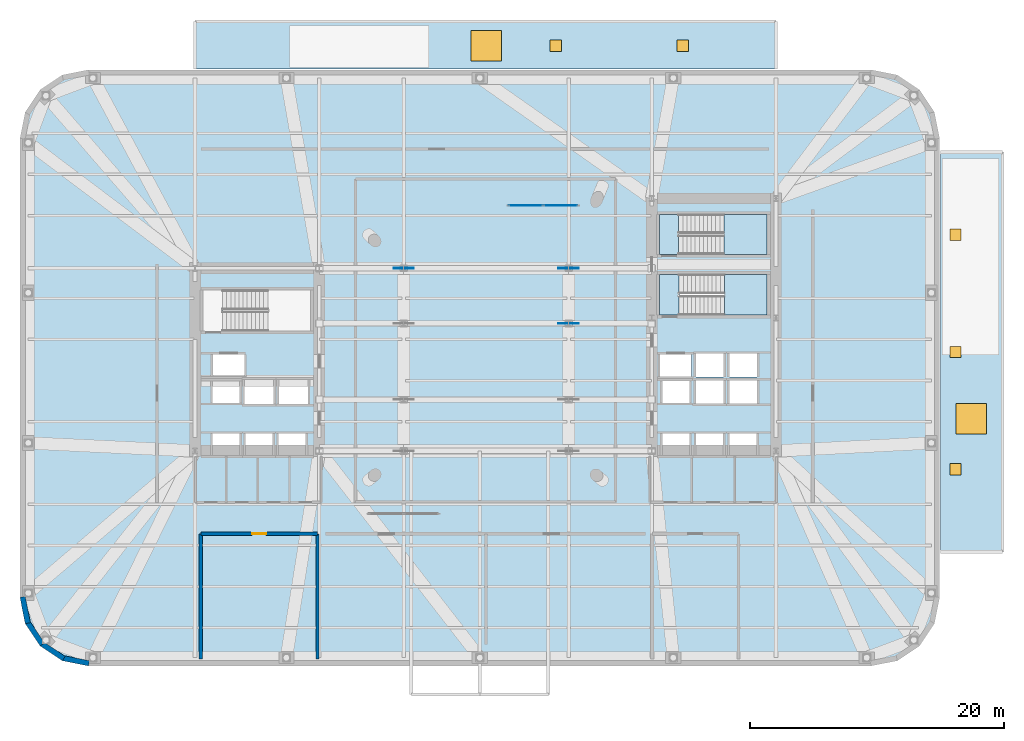
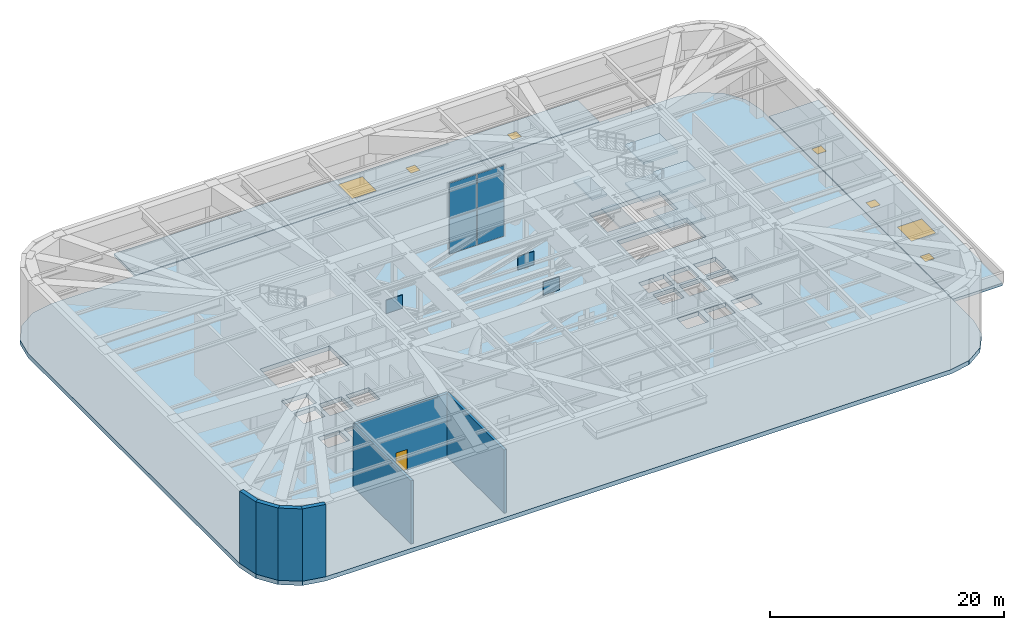
# One storey, part 7 of 15: 9 slabs, 7 plates, 7 walls, 6 doors, 2 windows, 8 openings, 3 elements without a shape of their own.
"""IFC4 building model written with IfcOpenShell, lengths in metres."""

from ifc_helpers import new_model, si_unit, direction, frame, frame_2d, origin, origin_2d, place, context, subcontext, project, spatial, polyline, rectangle, outline, extrude, material, layer, layer_set, type_object, element, fill, aggregate, save


model = new_model("IFC4")

# Units and contexts
model_context = context("Model", 3, precision=1e-05, world=origin(), true_north=direction((0.0, 1.0)))
body_context = subcontext(model_context, "Body", "Model", "MODEL_VIEW")
ifc_project = project(units=[si_unit("LENGTHUNIT", "METRE"), si_unit("AREAUNIT", "SQUARE_METRE"), si_unit("VOLUMEUNIT", "CUBIC_METRE"), si_unit("PLANEANGLEUNIT", "RADIAN"), si_unit("MASSUNIT", "GRAM", prefix="KILO")], contexts=[model_context])

# Site, building, storey
site_placement = place(None, origin())
site = spatial("IfcSite", under=ifc_project, at=site_placement, CompositionType="ELEMENT")
building_placement = place(site_placement, origin())
building = spatial("IfcBuilding", under=site, at=building_placement, Name="Kolvaren Arena Tower", CompositionType="ELEMENT")
storey_placement = place(building_placement, frame((0.0, 0.0, 34.0)))
storey = spatial("IfcBuildingStorey", under=building, at=storey_placement, Name="L06", CompositionType="ELEMENT", Elevation=34.0)

# Curtain wall, plates
ifc_material_1 = material(Name="Anodised aluminium unitised curtain wall", Category="aluminium")
curtain_wall_type = type_object("IfcCurtainWallType", Name="CW-SYS-05", PredefinedType="USERDEFINED", material=ifc_material_1)
curtain_wall_placement = place(storey_placement, origin())
curtain_wall = element("IfcCurtainWall", 1, at=curtain_wall_placement, inside=storey, type_object=curtain_wall_type, Name="Mechanical Plant Louvre Curtain Wall (L06)", ObjectType="ACOUSTIC LOUVRE SCREEN", PredefinedType="USERDEFINED")
ifc_material_2 = material(Name="Storm-proof anodised aluminium louvre panel", Category="aluminium")
ifc_layer_1 = layer(ifc_material_2, 0.074951171875)
ifc_layer_set_1 = layer_set([ifc_layer_1], Name="Storm-proof anodised aluminium louvre panel")
plate_type_1 = type_object("IfcPlateType", Name="CWP-LVR1", PredefinedType="CURTAIN_PANEL", material=ifc_layer_set_1)
plate_1_placement = place(storey_placement, frame((40.625, 38.800048828125, 0.080078125), z_axis=(0.0, 0.0, 1.0), x_axis=(1.0, 0.0, 0.0)))
plate_1 = element("IfcPlate", 2, at=plate_1_placement, type_object=plate_type_1, Name="CW5 panel 1.1", PredefinedType="CURTAIN_PANEL", context=body_context, shape_type="SweptSolid", body=[
    extrude(rectangle(XDim=2.64990234375, YDim=0.074951171875, at=origin_2d()), origin(), (0.0, 0.0, 1.0), 3.655029296875),
])
plate_2_placement = place(storey_placement, frame((40.625, 38.800048828125, 3.81494140625), z_axis=(0.0, 0.0, 1.0), x_axis=(1.0, 0.0, 0.0)))
plate_2 = element("IfcPlate", 3, at=plate_2_placement, type_object=plate_type_1, Name="CW5 panel 1.2", PredefinedType="CURTAIN_PANEL", context=body_context, shape_type="SweptSolid", body=[
    extrude(rectangle(XDim=2.64990234375, YDim=0.074951171875, at=origin_2d()), origin(), (0.0, 0.0, 1.0), 3.655029296875),
])
plate_3_placement = place(storey_placement, frame((43.375, 38.800048828125, 0.080078125), z_axis=(0.0, 0.0, 1.0), x_axis=(1.0, 0.0, 0.0)))
plate_3 = element("IfcPlate", 4, at=plate_3_placement, type_object=plate_type_1, Name="CW5 panel 2.1", PredefinedType="CURTAIN_PANEL", context=body_context, shape_type="SweptSolid", body=[
    extrude(rectangle(XDim=2.64990234375, YDim=0.074951171875, at=origin_2d()), origin(), (0.0, 0.0, 1.0), 3.655029296875),
])
plate_4_placement = place(storey_placement, frame((43.375, 38.800048828125, 3.81494140625), z_axis=(0.0, 0.0, 1.0), x_axis=(1.0, 0.0, 0.0)))
plate_4 = element("IfcPlate", 5, at=plate_4_placement, type_object=plate_type_1, Name="CW5 panel 2.2", PredefinedType="CURTAIN_PANEL", context=body_context, shape_type="SweptSolid", body=[
    extrude(rectangle(XDim=2.64990234375, YDim=0.074951171875, at=origin_2d()), origin(), (0.0, 0.0, 1.0), 3.655029296875),
])
aggregate(curtain_wall, [plate_1, plate_2, plate_3, plate_4])

# Plates
ifc_material_3 = material(Name="Steel CSA G40.21 350WT", Category="steel")
ifc_layer_2 = layer(ifc_material_3, 0.06005859375)
ifc_layer_set_2 = layer_set([ifc_layer_2], Name="Steel CSA G40.21 350WT")
plate_type_2 = type_object("IfcPlateType", Name="PLT-GUS-M1", PredefinedType="USERDEFINED", material=ifc_layer_set_2)
for number, where, z_axis, x_axis, name in (
    (6, (44.0, 29.5, 0.050048828125), (0.0, 0.0, 1.0), (1.0, 0.0, 0.0), "Mega-Transfer Truss 3 Node Gusset Plate"),
    (7, (31.0, 33.85009765625, 0.050048828125), (0.0, 0.0, 1.0), (1.0, 0.0, 0.0), "Mega-Transfer Truss 4 Node Gusset Plate"),
    (8, (44.0, 33.85009765625, 0.050048828125), (0.0, 0.0, 1.0), (1.0, 0.0, 0.0), "Mega-Transfer Truss 4 Node Gusset Plate"),
):
    element("IfcPlate", number, at=place(storey_placement, frame(where, z_axis=z_axis, x_axis=x_axis)), inside=storey, type_object=plate_type_2, Name=name, ObjectType="GUSSET PLATE", PredefinedType="USERDEFINED", context=body_context, shape_type="SweptSolid", body=[
        extrude(rectangle(XDim=1.60009765625, YDim=0.06005859375, at=origin_2d()), origin(), (0.0, 0.0, 1.0), 1.39990234375),
    ])

# Slab, openings, doors, window
ifc_material_4 = material(Name="Concrete 45 MPa", Category="concrete")
ifc_layer_3 = layer(ifc_material_4, 0.280029296875)
ifc_layer_set_3 = layer_set([ifc_layer_3], Name="Concrete 45 MPa")
slab_type_1 = type_object("IfcSlabType", Name="ROOF-OVR", PredefinedType="ROOF", material=ifc_layer_set_3)
slab_1_placement = place(storey_placement, frame((0.0, 0.0, -0.280029296875)))
slab_1 = element("IfcSlab", 9, at=slab_1_placement, inside=storey, type_object=slab_type_1, Name="Podium Step-Back Low Roof Slab (East)", PredefinedType="ROOF", context=body_context, shape_type="SweptSolid", body=[
    extrude(outline(polyline([(73.300048828125, 11.5), (78.199951171875, 11.5), (78.199951171875, 43.0), (73.300048828125, 43.0), (73.300048828125, 11.5)])), origin(), (0.0, 0.0, 1.0), 0.280029296875),
])
opening_1_placement = place(slab_1_placement, frame((75.75, 22.0, 0.0)))
opening_1 = element("IfcOpeningElement", 10, at=opening_1_placement, cuts=slab_1, Name="Opening SK2", PredefinedType="OPENING", context=body_context, shape_type="SweptSolid", body=[
    extrude(rectangle(XDim=2.39990234375, YDim=2.39990234375, at=origin_2d()), origin(), (0.0, 0.0, 1.0), 0.280029296875),
])
opening_2_placement = place(slab_1_placement, frame((74.5, 18.0, 0.0)))
opening_2 = element("IfcOpeningElement", 11, at=opening_2_placement, cuts=slab_1, Name="Opening TD1", PredefinedType="OPENING", context=body_context, shape_type="SweptSolid", body=[
    extrude(rectangle(XDim=0.89990234375, YDim=0.89990234375, at=origin_2d()), origin(), (0.0, 0.0, 1.0), 0.280029296875),
])
opening_3_placement = place(slab_1_placement, frame((74.5, 27.25, 0.0)))
opening_3 = element("IfcOpeningElement", 12, at=opening_3_placement, cuts=slab_1, Name="Opening TD1", PredefinedType="OPENING", context=body_context, shape_type="SweptSolid", body=[
    extrude(rectangle(XDim=0.89990234375, YDim=0.89990234375, at=origin_2d()), origin(), (0.0, 0.0, 1.0), 0.280029296875),
])
opening_4_placement = place(slab_1_placement, frame((74.5, 36.5, 0.0)))
opening_4 = element("IfcOpeningElement", 13, at=opening_4_placement, cuts=slab_1, Name="Opening TD1", PredefinedType="OPENING", context=body_context, shape_type="SweptSolid", body=[
    extrude(rectangle(XDim=0.89990234375, YDim=0.89990234375, at=origin_2d()), origin(), (0.0, 0.0, 1.0), 0.280029296875),
])
ifc_material_5 = material(Name="Insulated steel roof maintenance access door", Category="steel")
door_type_1 = type_object("IfcDoorType", Name="DOOR-RF-090", OperationType="NOTDEFINED", PredefinedType="TRAPDOOR", material=ifc_material_5)
door_1_placement = place(opening_2_placement, frame((0.0, 0.0, 0.22998046875)))
door_1 = element("IfcDoor", 14, at=door_1_placement, inside=storey, type_object=door_type_1, Name="Roof Maintenance Access Hatch 1", OperationType="SINGLE_SWING_LEFT", OverallHeight=0.89990234375, OverallWidth=0.89990234375, PredefinedType="TRAPDOOR", context=body_context, shape_type="SweptSolid", body=[
    extrude(rectangle(XDim=0.89990234375, YDim=0.89990234375, at=origin_2d()), origin(), (0.0, 0.0, 1.0), 0.050048828125),
])
fill(opening_2, door_1)
door_2_placement = place(opening_3_placement, frame((0.0, 0.0, 0.22998046875)))
door_2 = element("IfcDoor", 15, at=door_2_placement, inside=storey, type_object=door_type_1, Name="Roof Maintenance Access Hatch 2", OperationType="SINGLE_SWING_LEFT", OverallHeight=0.89990234375, OverallWidth=0.89990234375, PredefinedType="TRAPDOOR", context=body_context, shape_type="SweptSolid", body=[
    extrude(rectangle(XDim=0.89990234375, YDim=0.89990234375, at=origin_2d()), origin(), (0.0, 0.0, 1.0), 0.050048828125),
])
fill(opening_3, door_2)
door_3_placement = place(opening_4_placement, frame((0.0, 0.0, 0.22998046875)))
door_3 = element("IfcDoor", 16, at=door_3_placement, inside=storey, type_object=door_type_1, Name="Roof Maintenance Access Hatch 3", OperationType="SINGLE_SWING_LEFT", OverallHeight=0.89990234375, OverallWidth=0.89990234375, PredefinedType="TRAPDOOR", context=body_context, shape_type="SweptSolid", body=[
    extrude(rectangle(XDim=0.89990234375, YDim=0.89990234375, at=origin_2d()), origin(), (0.0, 0.0, 1.0), 0.050048828125),
])
fill(opening_4, door_3)
ifc_material_6 = material(Name="Thermally broken wintergarden skylight", Category="glass")
window_type = type_object("IfcWindowType", Name="SKY-CRN-1", PartitioningType="SINGLE_PANEL", PredefinedType="SKYLIGHT", material=ifc_material_6)
window_1_placement = place(opening_1_placement, frame((0.0, 0.0, 0.22998046875)))
window_1 = element("IfcWindow", 17, at=window_1_placement, inside=storey, type_object=window_type, Name="Laminated Glass Roof Skylight 6", OverallHeight=2.39990234375, OverallWidth=2.39990234375, PartitioningType="SINGLE_PANEL", PredefinedType="SKYLIGHT", context=body_context, shape_type="SweptSolid", body=[
    extrude(rectangle(XDim=2.39990234375, YDim=2.39990234375, at=origin_2d()), origin(), (0.0, 0.0, 1.0), 0.050048828125),
])
fill(opening_1, window_1)

slab_2_placement = place(storey_placement, frame((0.0, 0.0, -0.280029296875)))
slab_2 = element("IfcSlab", 18, at=slab_2_placement, inside=storey, type_object=slab_type_1, Name="Podium Step-Back Low Roof Slab (North)", PredefinedType="ROOF", context=body_context, shape_type="SweptSolid", body=[
    extrude(outline(polyline([(14.550048828125, 49.550048828125), (60.35009765625, 49.550048828125), (60.35009765625, 53.300048828125), (14.550048828125, 53.300048828125), (14.550048828125, 49.550048828125)])), origin(), (0.0, 0.0, 1.0), 0.280029296875),
])
opening_5_placement = place(slab_2_placement, frame((37.5, 51.39990234375, 0.0)))
opening_5 = element("IfcOpeningElement", 19, at=opening_5_placement, cuts=slab_2, Name="Opening SK2", PredefinedType="OPENING", context=body_context, shape_type="SweptSolid", body=[
    extrude(rectangle(XDim=2.39990234375, YDim=2.39990234375, at=origin_2d()), origin(), (0.0, 0.0, 1.0), 0.280029296875),
])
opening_6_placement = place(slab_2_placement, frame((43.0, 51.39990234375, 0.0)))
opening_6 = element("IfcOpeningElement", 20, at=opening_6_placement, cuts=slab_2, Name="Opening TD1", PredefinedType="OPENING", context=body_context, shape_type="SweptSolid", body=[
    extrude(rectangle(XDim=0.89990234375, YDim=0.89990234375, at=origin_2d()), origin(), (0.0, 0.0, 1.0), 0.280029296875),
])
opening_7_placement = place(slab_2_placement, frame((53.0, 51.39990234375, 0.0)))
opening_7 = element("IfcOpeningElement", 21, at=opening_7_placement, cuts=slab_2, Name="Opening TD1", PredefinedType="OPENING", context=body_context, shape_type="SweptSolid", body=[
    extrude(rectangle(XDim=0.89990234375, YDim=0.89990234375, at=origin_2d()), origin(), (0.0, 0.0, 1.0), 0.280029296875),
])
door_4_placement = place(opening_6_placement, frame((0.0, 0.0, 0.22998046875)))
door_4 = element("IfcDoor", 22, at=door_4_placement, inside=storey, type_object=door_type_1, Name="Roof Maintenance Access Hatch 4", OperationType="SINGLE_SWING_LEFT", OverallHeight=0.89990234375, OverallWidth=0.89990234375, PredefinedType="TRAPDOOR", context=body_context, shape_type="SweptSolid", body=[
    extrude(rectangle(XDim=0.89990234375, YDim=0.89990234375, at=origin_2d()), origin(), (0.0, 0.0, 1.0), 0.050048828125),
])
fill(opening_6, door_4)
door_5_placement = place(opening_7_placement, frame((0.0, 0.0, 0.22998046875)))
door_5 = element("IfcDoor", 23, at=door_5_placement, inside=storey, type_object=door_type_1, Name="Roof Maintenance Access Hatch 5", OperationType="SINGLE_SWING_LEFT", OverallHeight=0.89990234375, OverallWidth=0.89990234375, PredefinedType="TRAPDOOR", context=body_context, shape_type="SweptSolid", body=[
    extrude(rectangle(XDim=0.89990234375, YDim=0.89990234375, at=origin_2d()), origin(), (0.0, 0.0, 1.0), 0.050048828125),
])
fill(opening_7, door_5)
window_2_placement = place(opening_5_placement, frame((0.0, 0.0, 0.22998046875)))
window_2 = element("IfcWindow", 24, at=window_2_placement, inside=storey, type_object=window_type, Name="Laminated Glass Roof Skylight 7", OverallHeight=2.39990234375, OverallWidth=2.39990234375, PartitioningType="SINGLE_PANEL", PredefinedType="SKYLIGHT", context=body_context, shape_type="SweptSolid", body=[
    extrude(rectangle(XDim=2.39990234375, YDim=2.39990234375, at=origin_2d()), origin(), (0.0, 0.0, 1.0), 0.050048828125),
])
fill(opening_5, window_2)

# Stair, slabs
stair_type_1 = type_object("IfcStairType", Name="STAIR-CORE-165", PredefinedType="HALF_TURN_STAIR", material=ifc_material_4)
stair_1_placement = place(storey_placement, origin())
stair_1 = element("IfcStair", 25, at=stair_1_placement, inside=storey, type_object=stair_type_1, Name="L06 ST-E1", PredefinedType="HALF_TURN_STAIR")
ifc_layer_4 = layer(ifc_material_4, 0.199951171875)
ifc_layer_set_4 = layer_set([ifc_layer_4], Name="Concrete 45 MPa")
slab_type_2 = type_object("IfcSlabType", Name="SLAB-LAND", PredefinedType="LANDING", material=ifc_layer_set_4)
slab_3_placement = place(storey_placement, frame((0.0, 0.0, 1.800048828125)))
slab_3 = element("IfcSlab", 26, at=slab_3_placement, type_object=slab_type_2, Name="ST-E1 landing 1", PredefinedType="LANDING", context=body_context, shape_type="SweptSolid", body=[
    extrude(outline(polyline([(56.283935546875, 30.14990234375), (59.659912109375, 30.14990234375), (59.659912109375, 33.3798828125), (56.283935546875, 33.3798828125), (56.283935546875, 30.14990234375)])), origin(), (0.0, 0.0, 1.0), 0.199951171875),
])
slab_4_placement = place(storey_placement, frame((0.0, 0.0, 3.800048828125)))
slab_4 = element("IfcSlab", 27, at=slab_4_placement, type_object=slab_type_2, Name="ST-E1 landing 2", PredefinedType="LANDING", context=body_context, shape_type="SweptSolid", body=[
    extrude(outline(polyline([(51.179931640625, 30.14990234375), (52.719970703125, 30.14990234375), (52.719970703125, 33.3798828125), (51.179931640625, 33.3798828125), (51.179931640625, 30.14990234375)])), origin(), (0.0, 0.0, 1.0), 0.199951171875),
])
slab_5_placement = place(storey_placement, frame((0.0, 0.0, 5.800048828125)))
slab_5 = element("IfcSlab", 28, at=slab_5_placement, type_object=slab_type_2, Name="ST-E1 landing 3", PredefinedType="LANDING", context=body_context, shape_type="SweptSolid", body=[
    extrude(outline(polyline([(56.283935546875, 30.14990234375), (59.659912109375, 30.14990234375), (59.659912109375, 33.3798828125), (56.283935546875, 33.3798828125), (56.283935546875, 30.14990234375)])), origin(), (0.0, 0.0, 1.0), 0.199951171875),
])
aggregate(stair_1, [slab_3, slab_4, slab_5])

stair_type_2 = type_object("IfcStairType", Name="STAIR-CORE-150", PredefinedType="HALF_TURN_STAIR", material=ifc_material_4)
stair_2_placement = place(storey_placement, origin())
stair_2 = element("IfcStair", 29, at=stair_2_placement, inside=storey, type_object=stair_type_2, Name="L06 ST-E2", PredefinedType="HALF_TURN_STAIR")
slab_6_placement = place(storey_placement, frame((0.0, 0.0, 1.800048828125)))
slab_6 = element("IfcSlab", 30, at=slab_6_placement, type_object=slab_type_2, Name="ST-E2 landing 1", PredefinedType="LANDING", context=body_context, shape_type="SweptSolid", body=[
    extrude(outline(polyline([(56.243896484375, 34.949951171875), (59.659912109375, 34.949951171875), (59.659912109375, 38.10009765625), (56.243896484375, 38.10009765625), (56.243896484375, 34.949951171875)])), origin(), (0.0, 0.0, 1.0), 0.199951171875),
])
slab_7_placement = place(storey_placement, frame((0.0, 0.0, 3.800048828125)))
slab_7 = element("IfcSlab", 31, at=slab_7_placement, type_object=slab_type_2, Name="ST-E2 landing 2", PredefinedType="LANDING", context=body_context, shape_type="SweptSolid", body=[
    extrude(outline(polyline([(51.179931640625, 34.949951171875), (52.679931640625, 34.949951171875), (52.679931640625, 38.10009765625), (51.179931640625, 38.10009765625), (51.179931640625, 34.949951171875)])), origin(), (0.0, 0.0, 1.0), 0.199951171875),
])
slab_8_placement = place(storey_placement, frame((0.0, 0.0, 5.800048828125)))
slab_8 = element("IfcSlab", 32, at=slab_8_placement, type_object=slab_type_2, Name="ST-E2 landing 3", PredefinedType="LANDING", context=body_context, shape_type="SweptSolid", body=[
    extrude(outline(polyline([(56.243896484375, 34.949951171875), (59.659912109375, 34.949951171875), (59.659912109375, 38.10009765625), (56.243896484375, 38.10009765625), (56.243896484375, 34.949951171875)])), origin(), (0.0, 0.0, 1.0), 0.199951171875),
])
aggregate(stair_2, [slab_6, slab_7, slab_8])

# Slab
ifc_material_7 = material(Name="Concrete 60 MPa", Category="concrete")
ifc_layer_5 = layer(ifc_material_7, 0.449951171875)
ifc_layer_set_5 = layer_set([ifc_layer_5], Name="Concrete 60 MPa")
slab_type_3 = type_object("IfcSlabType", Name="SLAB-TRANS", PredefinedType="FLOOR", material=ifc_layer_set_5)
slab_9_placement = place(storey_placement, frame((0.0, 0.0, -0.449951171875)))
element("IfcSlab", 33, at=slab_9_placement, inside=storey, type_object=slab_type_3, Name="L06 Primary Structural Slab", PredefinedType="FLOOR", context=body_context, shape_type="SweptSolid", body=[
    extrude(outline(polyline([(67.85009765625, 2.5), (69.91650390625, 2.9111328125), (71.66845703125, 4.08154296875), (72.8388671875, 5.83349609375), (73.25, 7.89990234375), (73.25, 44.10009765625), (72.8388671875, 46.16650390625), (71.66845703125, 47.91845703125), (69.91650390625, 49.0888671875), (67.85009765625, 49.5), (6.14990234375, 49.5), (4.08349609375, 49.0888671875), (2.33154296875, 47.91845703125), (1.1611328125, 46.16650390625), (0.75, 44.10009765625), (0.75, 7.89990234375), (1.1611328125, 5.83349609375), (2.33154296875, 4.08154296875), (4.08349609375, 2.9111328125), (6.14990234375, 2.5), (67.85009765625, 2.5)]), holes=[polyline([(15.93505859375, 19.0849609375), (15.93505859375, 20.81494140625), (18.06494140625, 20.81494140625), (18.06494140625, 19.0849609375), (15.93505859375, 19.0849609375)]), polyline([(18.534912109375, 19.0849609375), (18.534912109375, 20.81494140625), (20.6650390625, 20.81494140625), (20.6650390625, 19.0849609375), (18.534912109375, 19.0849609375)]), polyline([(21.135009765625, 19.0849609375), (21.135009765625, 20.81494140625), (23.264892578125, 20.81494140625), (23.264892578125, 19.0849609375), (21.135009765625, 19.0849609375)]), polyline([(51.39501953125, 19.0849609375), (51.39501953125, 20.81494140625), (53.52490234375, 20.81494140625), (53.52490234375, 19.0849609375), (51.39501953125, 19.0849609375)]), polyline([(54.054931640625, 19.0849609375), (54.054931640625, 20.81494140625), (56.18505859375, 20.81494140625), (56.18505859375, 19.0849609375), (54.054931640625, 19.0849609375)]), polyline([(56.695068359375, 19.0849609375), (56.695068359375, 20.81494140625), (58.824951171875, 20.81494140625), (58.824951171875, 19.0849609375), (56.695068359375, 19.0849609375)]), polyline([(18.4599609375, 23.135009765625), (18.4599609375, 25.06494140625), (20.739990234375, 25.06494140625), (20.739990234375, 23.135009765625), (18.4599609375, 23.135009765625)]), polyline([(21.159912109375, 23.135009765625), (21.159912109375, 25.06494140625), (23.43994140625, 25.06494140625), (23.43994140625, 23.135009765625), (21.159912109375, 23.135009765625)]), polyline([(54.030029296875, 25.014892578125), (56.2099609375, 25.014892578125), (56.2099609375, 23.18505859375), (54.030029296875, 23.18505859375), (54.030029296875, 25.014892578125)]), polyline([(56.669921875, 25.014892578125), (58.85009765625, 25.014892578125), (58.85009765625, 23.18505859375), (56.669921875, 23.18505859375), (56.669921875, 25.014892578125)]), polyline([(15.93505859375, 23.235107421875), (15.93505859375, 24.965087890625), (18.06494140625, 24.965087890625), (18.06494140625, 23.235107421875), (15.93505859375, 23.235107421875)]), polyline([(51.39501953125, 24.965087890625), (53.52490234375, 24.965087890625), (53.52490234375, 23.235107421875), (51.39501953125, 23.235107421875), (51.39501953125, 24.965087890625)]), polyline([(54.030029296875, 25.284912109375), (54.030029296875, 27.114990234375), (56.2099609375, 27.114990234375), (56.2099609375, 25.284912109375), (54.030029296875, 25.284912109375)]), polyline([(56.669921875, 25.284912109375), (56.669921875, 27.114990234375), (58.85009765625, 27.114990234375), (58.85009765625, 25.284912109375), (56.669921875, 25.284912109375)]), polyline([(15.9599609375, 27.06494140625), (18.43994140625, 27.06494140625), (18.43994140625, 25.3349609375), (15.9599609375, 25.3349609375), (15.9599609375, 27.06494140625)]), polyline([(51.219970703125, 25.3349609375), (51.219970703125, 27.06494140625), (53.699951171875, 27.06494140625), (53.699951171875, 25.3349609375), (51.219970703125, 25.3349609375)]), polyline([(16.735107421875, 28.89990234375), (16.735107421875, 32.1298828125), (23.659912109375, 32.1298828125), (23.659912109375, 28.89990234375), (16.735107421875, 28.89990234375)]), polyline([(52.735107421875, 33.3798828125), (59.659912109375, 33.3798828125), (59.659912109375, 30.14990234375), (52.735107421875, 30.14990234375), (52.735107421875, 33.3798828125)]), polyline([(52.695068359375, 38.10009765625), (59.659912109375, 38.10009765625), (59.659912109375, 34.949951171875), (52.695068359375, 34.949951171875), (52.695068359375, 38.10009765625)])]), origin(), (0.0, 0.0, 1.0), 0.449951171875),
])

# Walls
ifc_material_8 = material(Name="Precast concrete C50/60", Category="concrete")
ifc_layer_6 = layer(ifc_material_8, 0.419921875)
ifc_layer_set_6 = layer_set([ifc_layer_6], Name="Precast concrete C50/60")
wall_type_1 = type_object("IfcWallType", Name="EXT-PIER1", PredefinedType="SOLIDWALL", material=ifc_layer_set_6)
for number, where, z_axis, x_axis, name in (
    (34, (1.3671875, 5.87451171875, 0.0), (0.0, 0.0, 1.0), (-0.195135546048, 0.9807762837, 0.0), "Exterior Precast Masonry-Frame Wall (L06)"),
    (35, (2.506103515625, 4.1982421875, 0.0), (0.0, 0.0, 1.0), (-0.555502146192, 0.831515102434, 0.0), "Exterior Precast Masonry-Frame Wall (L06)"),
    (36, (4.2001953125, 3.085693359375, 0.0), (0.0, 0.0, 1.0), (-0.831515102434, 0.555502146192, 0.0), "Exterior Precast Masonry-Frame Wall (L06)"),
    (37, (6.19091796875, 2.7060546875, 0.0), (0.0, 0.0, 1.0), (-0.9807762837, 0.195135546048, 0.0), "Exterior Precast Masonry-Frame Wall (L06)"),
):
    element("IfcWall", number, at=place(storey_placement, frame(where, z_axis=z_axis, x_axis=x_axis)), inside=storey, type_object=wall_type_1, Name=name, PredefinedType="SOLIDWALL", context=body_context, shape_type="SweptSolid", body=[
        extrude(rectangle(XDim=2.10693359375, YDim=0.419921875, at=frame_2d((1.053466796875, 0.0))), origin(), (0.0, 0.0, 1.0), 7.550048828125),
    ])

# Wall, opening, door
ifc_layer_7 = layer(ifc_material_4, 0.25)
ifc_layer_set_7 = layer_set([ifc_layer_7], Name="Concrete 45 MPa")
wall_type_2 = type_object("IfcWallType", Name="SHAFT-250", PredefinedType="SOLIDWALL", material=ifc_layer_set_7)
wall_placement = place(storey_placement, frame((15.0, 12.919921875, 0.0), z_axis=(0.0, 0.0, 1.0), x_axis=(1.0, 0.0, 0.0)))
wall = element("IfcWall", 38, at=wall_placement, inside=storey, type_object=wall_type_2, Name="Interior Partition Wall (L06)", PredefinedType="SOLIDWALL", context=body_context, shape_type="SweptSolid", body=[
    extrude(rectangle(XDim=9.199951171875, YDim=0.25, at=frame_2d((4.60009765625, 0.0))), origin(), (0.0, 0.0, 1.0), 6.610107421875),
])
opening_8_placement = place(wall_placement, frame((4.050048828125, 0.0, 0.0)))
opening_8 = element("IfcOpeningElement", 39, at=opening_8_placement, cuts=wall, Name="Opening D03", PredefinedType="OPENING", context=body_context, shape_type="SweptSolid", body=[
    extrude(rectangle(XDim=1.10009765625, YDim=2.14990234375, at=frame_2d((0.550048828125, 1.074951171875))), frame((0.0, 0.135009765625, 0.0), z_axis=(0.0, -1.0, 0.0), x_axis=(1.0, 0.0, 0.0)), (0.0, 0.0, 1.0), 0.27001953125),
])
ifc_material_9 = material(Name="Fire-rated steel exit stair door", Category="steel")
door_type_2 = type_object("IfcDoorType", Name="DOOR-ST-110", OperationType="NOTDEFINED", PredefinedType="DOOR", material=ifc_material_9)
door_6_placement = place(opening_8_placement, origin())
door_6 = element("IfcDoor", 40, at=door_6_placement, inside=storey, type_object=door_type_2, Name="West Area of Refuge Door (L06)", OperationType="SINGLE_SWING_LEFT", OverallHeight=2.14990234375, OverallWidth=1.10009765625, PredefinedType="DOOR", context=body_context, shape_type="SweptSolid", body=[
    extrude(rectangle(XDim=1.10009765625, YDim=2.14990234375, at=frame_2d((0.550048828125, 1.074951171875))), frame((0.0, 0.02490234375, 0.0), z_axis=(0.0, -1.0, 0.0), x_axis=(1.0, 0.0, 0.0)), (0.0, 0.0, 1.0), 0.050048828125),
])
fill(opening_8, door_6)

# Walls
for number, where, z_axis, x_axis, name in (
    (41, (15.0, 3.06005859375, 0.0), (0.0, 0.0, 1.0), (0.0, 1.0, 0.0), "Interior Partition Wall (L06)"),
    (42, (24.199951171875, 3.06005859375, 0.0), (0.0, 0.0, 1.0), (0.0, 1.0, 0.0), "Interior Partition Wall (L06)"),
):
    element("IfcWall", number, at=place(storey_placement, frame(where, z_axis=z_axis, x_axis=x_axis)), inside=storey, type_object=wall_type_2, Name=name, PredefinedType="SOLIDWALL", context=body_context, shape_type="SweptSolid", body=[
        extrude(rectangle(XDim=9.85986328125, YDim=0.25, at=frame_2d((4.929931640625, 0.0))), origin(), (0.0, 0.0, 1.0), 6.610107421875),
    ])

save(model, "model.ifc")
